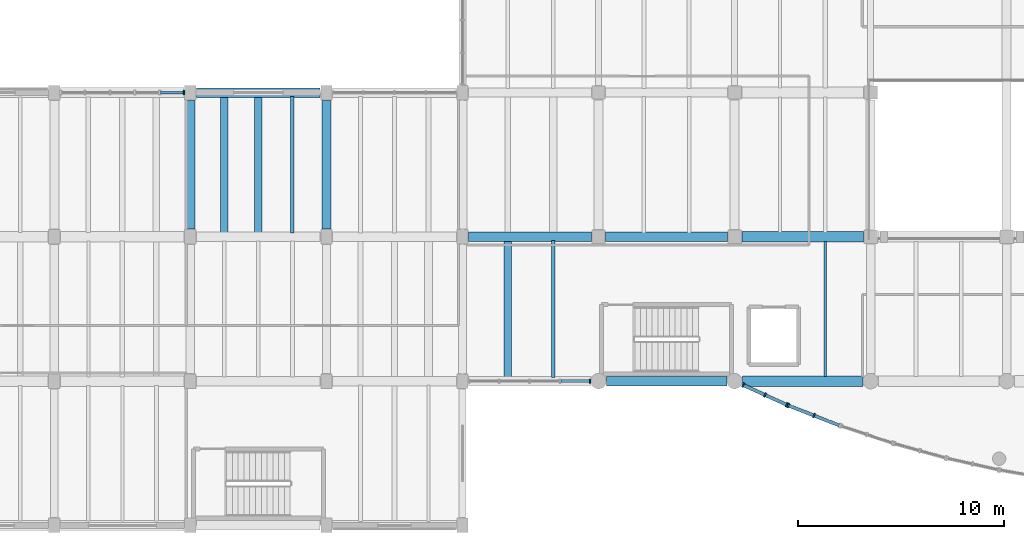
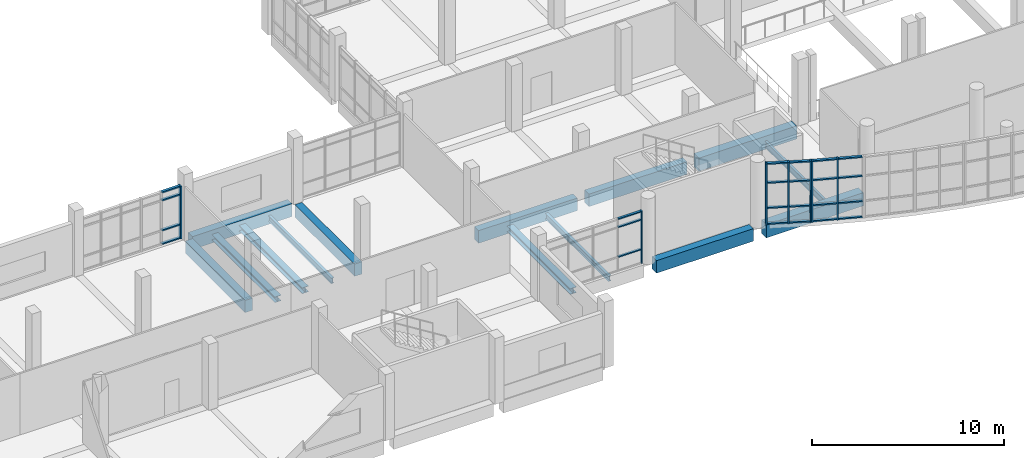
# One storey, part 6 of 68: 30 members, 14 beams, 4 elements without a shape of their own.
"""IFC4 building model written with IfcOpenShell, lengths in metres."""

from ifc_helpers import new_model, si_unit, direction, frame, origin, origin_2d, place, context, subcontext, project, spatial, rectangle, i_section, extrude, material, material_profile, profile_set, type_object, element, aggregate, save


model = new_model("IFC4")

# Units and contexts
model_context = context("Model", 3, precision=1e-05, world=origin(), true_north=direction((0.0, 1.0)))
body_context = subcontext(model_context, "Body", "Model", "MODEL_VIEW")
ifc_project = project(units=[si_unit("LENGTHUNIT", "METRE"), si_unit("AREAUNIT", "SQUARE_METRE"), si_unit("VOLUMEUNIT", "CUBIC_METRE"), si_unit("PLANEANGLEUNIT", "RADIAN"), si_unit("MASSUNIT", "GRAM", prefix="KILO")], contexts=[model_context])

# Site, building, storey
site_placement = place(None, origin())
site = spatial("IfcSite", under=ifc_project, at=site_placement, CompositionType="ELEMENT")
building_placement = place(site_placement, origin())
building = spatial("IfcBuilding", under=site, at=building_placement, Name="Ciguamira Faculty of Natural Sciences", CompositionType="ELEMENT")
storey_placement = place(building_placement, frame((0.0, 0.0, 4.199951171875)))
storey = spatial("IfcBuildingStorey", under=building, at=storey_placement, Name="L01", CompositionType="ELEMENT", Elevation=4.199951171875)

# Curtain wall, member
ifc_material_1 = material(Name="Anodized aluminium curtain wall", Category="aluminium")
curtain_wall_type_1 = type_object("IfcCurtainWallType", Name="CurtainWall_CW-02", PredefinedType="USERDEFINED", material=ifc_material_1)
curtain_wall_1_placement = place(storey_placement, origin())
curtain_wall_1 = element("IfcCurtainWall", 1, at=curtain_wall_1_placement, inside=storey, type_object=curtain_wall_type_1, Name="L01 unitised curtain wall 0026", ObjectType="UNITISED CURTAIN WALL", PredefinedType="USERDEFINED")
ifc_material_2 = material(Name="Anodized aluminium mullion", Category="aluminium")
ifc_material_profile_1 = material_profile(ifc_material_2, rectangle(XDim=0.070068359375, YDim=0.179931640625, at=origin_2d()), Name="ALU-MUL-70X180")
ifc_profile_set_1 = profile_set([ifc_material_profile_1], Name="Anodized aluminium mullion")
member_type_1 = type_object("IfcMemberType", Name="CWMullion_CWM-02", PredefinedType="MULLION", material=ifc_profile_set_1)
member_1_placement = place(storey_placement, frame((56.889892578125, 10.0, 0.0), z_axis=(0.0, 0.0, 1.0), x_axis=(1.0, 0.0, 0.0)))
member_1 = element("IfcMember", 2, at=member_1_placement, type_object=member_type_1, Name="CW-02 mullion 5", PredefinedType="MULLION", context=body_context, shape_type="SweptSolid", body=[
    extrude(rectangle(XDim=0.070068359375, YDim=0.179931640625, at=origin_2d()), origin(), (0.0, 0.0, 1.0), 3.344970703125),
])

curtain_wall_type_2 = type_object("IfcCurtainWallType", Name="CurtainWall_CW-06", PredefinedType="USERDEFINED", material=ifc_material_1)
curtain_wall_2_placement = place(storey_placement, origin())
curtain_wall_2 = element("IfcCurtainWall", 3, at=curtain_wall_2_placement, inside=storey, type_object=curtain_wall_type_2, Name="L01 unitised curtain wall 0030", ObjectType="UNITISED CURTAIN WALL", PredefinedType="USERDEFINED")
ifc_material_profile_2 = material_profile(ifc_material_2, rectangle(XDim=0.080078125, YDim=0.219970703125, at=origin_2d()), Name="ALU-MUL-80X220")
ifc_profile_set_2 = profile_set([ifc_material_profile_2], Name="Anodized aluminium mullion")
member_type_2 = type_object("IfcMemberType", Name="CWMullion_CWM-03", PredefinedType="MULLION", material=ifc_profile_set_2)
member_2_placement = place(storey_placement, frame((37.18505859375, 24.0, 0.0), z_axis=(0.0, 0.0, 1.0), x_axis=(1.0, 0.0, 0.0)))
member_2 = element("IfcMember", 4, at=member_2_placement, type_object=member_type_2, Name="CW-06 mullion 6", PredefinedType="MULLION", context=body_context, shape_type="SweptSolid", body=[
    extrude(rectangle(XDim=0.080078125, YDim=0.219970703125, at=origin_2d()), origin(), (0.0, 0.0, 1.0), 3.364990234375),
])

# Curtain wall, members
curtain_wall_type_3 = type_object("IfcCurtainWallType", Name="CurtainWall_CW-12", PredefinedType="USERDEFINED", material=ifc_material_1)
curtain_wall_3_placement = place(storey_placement, origin())
curtain_wall_3 = element("IfcCurtainWall", 5, at=curtain_wall_3_placement, inside=storey, type_object=curtain_wall_type_3, Name="L01 south gallery curved curtain wall 01", ObjectType="UNITISED CURTAIN WALL", PredefinedType="USERDEFINED")
member_3_placement = place(storey_placement, frame((64.31884765625, 9.809814453125, 0.0), z_axis=(0.0, 0.0, 1.0), x_axis=(0.910580503774, -0.41333176281, 0.0)))
member_3 = element("IfcMember", 6, at=member_3_placement, type_object=member_type_2, Name="CW-12 mullion 1", PredefinedType="MULLION", context=body_context, shape_type="SweptSolid", body=[
    extrude(rectangle(XDim=0.080078125, YDim=0.219970703125, at=origin_2d()), origin(), (0.0, 0.0, 1.0), 3.900146484375),
])
member_4_placement = place(storey_placement, frame((65.37451171875, 9.33056640625, 0.0), z_axis=(0.0, 0.0, 1.0), x_axis=(0.910580503774, -0.41333176281, 0.0)))
member_4 = element("IfcMember", 7, at=member_4_placement, type_object=member_type_2, Name="CW-12 mullion 2", PredefinedType="MULLION", context=body_context, shape_type="SweptSolid", body=[
    extrude(rectangle(XDim=0.080078125, YDim=0.219970703125, at=origin_2d()), origin(), (0.0, 0.0, 1.0), 3.900146484375),
])
member_5_placement = place(storey_placement, frame((66.43017578125, 8.851318359375, 0.0), z_axis=(0.0, 0.0, 1.0), x_axis=(0.910580503774, -0.41333176281, 0.0)))
member_5 = element("IfcMember", 8, at=member_5_placement, type_object=member_type_2, Name="CW-12 mullion 3", PredefinedType="MULLION", context=body_context, shape_type="SweptSolid", body=[
    extrude(rectangle(XDim=0.080078125, YDim=0.219970703125, at=origin_2d()), origin(), (0.0, 0.0, 1.0), 3.900146484375),
])

curtain_wall_type_4 = type_object("IfcCurtainWallType", Name="CurtainWall_CW-01", PredefinedType="USERDEFINED", material=ifc_material_1)
curtain_wall_4_placement = place(storey_placement, origin())
curtain_wall_4 = element("IfcCurtainWall", 9, at=curtain_wall_4_placement, inside=storey, type_object=curtain_wall_type_4, Name="L01 south gallery curved curtain wall 02", ObjectType="UNITISED CURTAIN WALL", PredefinedType="USERDEFINED")
member_6_placement = place(storey_placement, frame((66.50390625, 8.8203125, 0.0), z_axis=(0.0, 0.0, 1.0), x_axis=(0.931122296337, -0.36470710065, 0.0)))
member_6 = element("IfcMember", 10, at=member_6_placement, type_object=member_type_2, Name="CW-01 mullion 1", PredefinedType="MULLION", context=body_context, shape_type="SweptSolid", body=[
    extrude(rectangle(XDim=0.080078125, YDim=0.219970703125, at=origin_2d()), origin(), (0.0, 0.0, 1.0), 3.900146484375),
])
member_7_placement = place(storey_placement, frame((67.75, 8.332275390625, 0.0), z_axis=(0.0, 0.0, 1.0), x_axis=(0.931122296337, -0.36470710065, 0.0)))
member_7 = element("IfcMember", 11, at=member_7_placement, type_object=member_type_2, Name="CW-01 mullion 2", PredefinedType="MULLION", context=body_context, shape_type="SweptSolid", body=[
    extrude(rectangle(XDim=0.080078125, YDim=0.219970703125, at=origin_2d()), origin(), (0.0, 0.0, 1.0), 3.900146484375),
])

# Member
ifc_material_3 = material(Name="Anodized aluminium transom", Category="aluminium")
ifc_material_profile_3 = material_profile(ifc_material_3, rectangle(XDim=0.070068359375, YDim=0.139892578125, at=origin_2d()), Name="ALU-TRN-70X140")
ifc_profile_set_3 = profile_set([ifc_material_profile_3], Name="Anodized aluminium transom")
member_type_3 = type_object("IfcMemberType", Name="CWTransom_CWT-02", PredefinedType="USERDEFINED", material=ifc_profile_set_3)
member_8_placement = place(storey_placement, frame((55.472412109375, 10.0, 0.900146484375), z_axis=(1.0, 0.0, 0.0), x_axis=(0.0, 0.0, 1.0)))
member_8 = element("IfcMember", 12, at=member_8_placement, type_object=member_type_3, Name="CW-02 transom 4.2", ObjectType="TRANSOM", PredefinedType="USERDEFINED", context=body_context, shape_type="SweptSolid", body=[
    extrude(rectangle(XDim=0.070068359375, YDim=0.139892578125, at=origin_2d()), origin(), (0.0, 0.0, 1.0), 1.382568359375),
])

member_9_placement = place(storey_placement, frame((55.472412109375, 10.0, 2.795166015625), z_axis=(1.0, 0.0, 0.0), x_axis=(0.0, 0.0, 1.0)))
member_9 = element("IfcMember", 13, at=member_9_placement, type_object=member_type_3, Name="CW-02 transom 4.3", ObjectType="TRANSOM", PredefinedType="USERDEFINED", context=body_context, shape_type="SweptSolid", body=[
    extrude(rectangle(XDim=0.070068359375, YDim=0.139892578125, at=origin_2d()), origin(), (0.0, 0.0, 1.0), 1.382568359375),
])

member_10_placement = place(storey_placement, frame((55.472412109375, 10.0, 3.31005859375), z_axis=(1.0, 0.0, 0.0), x_axis=(0.0, 0.0, 1.0)))
member_10 = element("IfcMember", 14, at=member_10_placement, type_object=member_type_3, Name="CW-02 transom 4.4", ObjectType="TRANSOM", PredefinedType="USERDEFINED", context=body_context, shape_type="SweptSolid", body=[
    extrude(rectangle(XDim=0.070068359375, YDim=0.139892578125, at=origin_2d()), origin(), (0.0, 0.0, 1.0), 1.382568359375),
])

aggregate(curtain_wall_1, [member_1, member_8, member_9, member_10])

ifc_material_profile_4 = material_profile(ifc_material_3, rectangle(XDim=0.080078125, YDim=0.159912109375, at=origin_2d()), Name="ALU-TRN-80X160")
ifc_profile_set_4 = profile_set([ifc_material_profile_4], Name="Anodized aluminium transom")
member_type_4 = type_object("IfcMemberType", Name="CWTransom_CWT-03", PredefinedType="USERDEFINED", material=ifc_profile_set_4)
member_11_placement = place(storey_placement, frame((36.054931640625, 24.0, 0.0400390625), z_axis=(1.0, 0.0, 0.0), x_axis=(0.0, 0.0, 1.0)))
member_11 = element("IfcMember", 15, at=member_11_placement, type_object=member_type_4, Name="CW-06 transom 5.1", ObjectType="TRANSOM", PredefinedType="USERDEFINED", context=body_context, shape_type="SweptSolid", body=[
    extrude(rectangle(XDim=0.080078125, YDim=0.159912109375, at=origin_2d()), origin(), (0.0, 0.0, 1.0), 1.090087890625),
])

member_12_placement = place(storey_placement, frame((36.054931640625, 24.0, 0.900146484375), z_axis=(1.0, 0.0, 0.0), x_axis=(0.0, 0.0, 1.0)))
member_12 = element("IfcMember", 16, at=member_12_placement, type_object=member_type_4, Name="CW-06 transom 5.2", ObjectType="TRANSOM", PredefinedType="USERDEFINED", context=body_context, shape_type="SweptSolid", body=[
    extrude(rectangle(XDim=0.080078125, YDim=0.159912109375, at=origin_2d()), origin(), (0.0, 0.0, 1.0), 1.090087890625),
])

member_13_placement = place(storey_placement, frame((36.054931640625, 24.0, 2.81494140625), z_axis=(1.0, 0.0, 0.0), x_axis=(0.0, 0.0, 1.0)))
member_13 = element("IfcMember", 17, at=member_13_placement, type_object=member_type_4, Name="CW-06 transom 5.3", ObjectType="TRANSOM", PredefinedType="USERDEFINED", context=body_context, shape_type="SweptSolid", body=[
    extrude(rectangle(XDim=0.080078125, YDim=0.159912109375, at=origin_2d()), origin(), (0.0, 0.0, 1.0), 1.090087890625),
])

member_14_placement = place(storey_placement, frame((36.054931640625, 24.0, 3.324951171875), z_axis=(1.0, 0.0, 0.0), x_axis=(0.0, 0.0, 1.0)))
member_14 = element("IfcMember", 18, at=member_14_placement, type_object=member_type_4, Name="CW-06 transom 5.4", ObjectType="TRANSOM", PredefinedType="USERDEFINED", context=body_context, shape_type="SweptSolid", body=[
    extrude(rectangle(XDim=0.080078125, YDim=0.159912109375, at=origin_2d()), origin(), (0.0, 0.0, 1.0), 1.090087890625),
])

aggregate(curtain_wall_2, [member_2, member_11, member_12, member_13, member_14])

member_15_placement = place(storey_placement, frame((64.355224609375, 9.793212890625, 0.0400390625), z_axis=(0.910621924114, -0.413240500585, 0.0), x_axis=(0.0, 0.0, 1.0)))
member_15 = element("IfcMember", 19, at=member_15_placement, type_object=member_type_4, Name="CW-12 transom 1.1", ObjectType="TRANSOM", PredefinedType="USERDEFINED", context=body_context, shape_type="SweptSolid", body=[
    extrude(rectangle(XDim=0.080078125, YDim=0.159912109375, at=origin_2d()), origin(), (0.0, 0.0, 1.0), 1.079345703125),
])

member_16_placement = place(storey_placement, frame((64.355224609375, 9.793212890625, 1.050048828125), z_axis=(0.910621924114, -0.413240500585, 0.0), x_axis=(0.0, 0.0, 1.0)))
member_16 = element("IfcMember", 20, at=member_16_placement, type_object=member_type_4, Name="CW-12 transom 1.2", ObjectType="TRANSOM", PredefinedType="USERDEFINED", context=body_context, shape_type="SweptSolid", body=[
    extrude(rectangle(XDim=0.080078125, YDim=0.159912109375, at=origin_2d()), origin(), (0.0, 0.0, 1.0), 1.079345703125),
])

member_17_placement = place(storey_placement, frame((64.355224609375, 9.793212890625, 2.650146484375), z_axis=(0.910621924114, -0.413240500585, 0.0), x_axis=(0.0, 0.0, 1.0)))
member_17 = element("IfcMember", 21, at=member_17_placement, type_object=member_type_4, Name="CW-12 transom 1.3", ObjectType="TRANSOM", PredefinedType="USERDEFINED", context=body_context, shape_type="SweptSolid", body=[
    extrude(rectangle(XDim=0.080078125, YDim=0.159912109375, at=origin_2d()), origin(), (0.0, 0.0, 1.0), 1.079345703125),
])

member_18_placement = place(storey_placement, frame((64.355224609375, 9.793212890625, 3.860107421875), z_axis=(0.910621924114, -0.413240500585, 0.0), x_axis=(0.0, 0.0, 1.0)))
member_18 = element("IfcMember", 22, at=member_18_placement, type_object=member_type_4, Name="CW-12 transom 1.4", ObjectType="TRANSOM", PredefinedType="USERDEFINED", context=body_context, shape_type="SweptSolid", body=[
    extrude(rectangle(XDim=0.080078125, YDim=0.159912109375, at=origin_2d()), origin(), (0.0, 0.0, 1.0), 1.079345703125),
])

member_19_placement = place(storey_placement, frame((65.410888671875, 9.314208984375, 0.0400390625), z_axis=(0.910536797913, -0.413428034422, 0.0), x_axis=(0.0, 0.0, 1.0)))
member_19 = element("IfcMember", 23, at=member_19_placement, type_object=member_type_4, Name="CW-12 transom 2.1", ObjectType="TRANSOM", PredefinedType="USERDEFINED", context=body_context, shape_type="SweptSolid", body=[
    extrude(rectangle(XDim=0.080078125, YDim=0.159912109375, at=origin_2d()), origin(), (0.0, 0.0, 1.0), 1.07958984375),
])

member_20_placement = place(storey_placement, frame((65.410888671875, 9.314208984375, 1.050048828125), z_axis=(0.910536797913, -0.413428034422, 0.0), x_axis=(0.0, 0.0, 1.0)))
member_20 = element("IfcMember", 24, at=member_20_placement, type_object=member_type_4, Name="CW-12 transom 2.2", ObjectType="TRANSOM", PredefinedType="USERDEFINED", context=body_context, shape_type="SweptSolid", body=[
    extrude(rectangle(XDim=0.080078125, YDim=0.159912109375, at=origin_2d()), origin(), (0.0, 0.0, 1.0), 1.07958984375),
])

member_21_placement = place(storey_placement, frame((65.410888671875, 9.314208984375, 2.650146484375), z_axis=(0.910536797913, -0.413428034422, 0.0), x_axis=(0.0, 0.0, 1.0)))
member_21 = element("IfcMember", 25, at=member_21_placement, type_object=member_type_4, Name="CW-12 transom 2.3", ObjectType="TRANSOM", PredefinedType="USERDEFINED", context=body_context, shape_type="SweptSolid", body=[
    extrude(rectangle(XDim=0.080078125, YDim=0.159912109375, at=origin_2d()), origin(), (0.0, 0.0, 1.0), 1.07958984375),
])

member_22_placement = place(storey_placement, frame((65.410888671875, 9.314208984375, 3.860107421875), z_axis=(0.910536797913, -0.413428034422, 0.0), x_axis=(0.0, 0.0, 1.0)))
member_22 = element("IfcMember", 26, at=member_22_placement, type_object=member_type_4, Name="CW-12 transom 2.4", ObjectType="TRANSOM", PredefinedType="USERDEFINED", context=body_context, shape_type="SweptSolid", body=[
    extrude(rectangle(XDim=0.080078125, YDim=0.159912109375, at=origin_2d()), origin(), (0.0, 0.0, 1.0), 1.07958984375),
])

aggregate(curtain_wall_3, [member_3, member_4, member_5, member_15, member_16, member_17, member_18, member_19, member_20, member_21, member_22])

member_23_placement = place(storey_placement, frame((66.541259765625, 8.8056640625, 0.0400390625), z_axis=(0.931142528587, -0.364655442104, 0.0), x_axis=(0.0, 0.0, 1.0)))
member_23 = element("IfcMember", 27, at=member_23_placement, type_object=member_type_4, Name="CW-01 transom 1.1", ObjectType="TRANSOM", PredefinedType="USERDEFINED", context=body_context, shape_type="SweptSolid", body=[
    extrude(rectangle(XDim=0.080078125, YDim=0.159912109375, at=origin_2d()), origin(), (0.0, 0.0, 1.0), 1.258056640625),
])

member_24_placement = place(storey_placement, frame((66.541259765625, 8.8056640625, 1.050048828125), z_axis=(0.931142528587, -0.364655442104, 0.0), x_axis=(0.0, 0.0, 1.0)))
member_24 = element("IfcMember", 28, at=member_24_placement, type_object=member_type_4, Name="CW-01 transom 1.2", ObjectType="TRANSOM", PredefinedType="USERDEFINED", context=body_context, shape_type="SweptSolid", body=[
    extrude(rectangle(XDim=0.080078125, YDim=0.159912109375, at=origin_2d()), origin(), (0.0, 0.0, 1.0), 1.258056640625),
])

member_25_placement = place(storey_placement, frame((66.541259765625, 8.8056640625, 2.650146484375), z_axis=(0.931142528587, -0.364655442104, 0.0), x_axis=(0.0, 0.0, 1.0)))
member_25 = element("IfcMember", 29, at=member_25_placement, type_object=member_type_4, Name="CW-01 transom 1.3", ObjectType="TRANSOM", PredefinedType="USERDEFINED", context=body_context, shape_type="SweptSolid", body=[
    extrude(rectangle(XDim=0.080078125, YDim=0.159912109375, at=origin_2d()), origin(), (0.0, 0.0, 1.0), 1.258056640625),
])

member_26_placement = place(storey_placement, frame((66.541259765625, 8.8056640625, 3.860107421875), z_axis=(0.931142528587, -0.364655442104, 0.0), x_axis=(0.0, 0.0, 1.0)))
member_26 = element("IfcMember", 30, at=member_26_placement, type_object=member_type_4, Name="CW-01 transom 1.4", ObjectType="TRANSOM", PredefinedType="USERDEFINED", context=body_context, shape_type="SweptSolid", body=[
    extrude(rectangle(XDim=0.080078125, YDim=0.159912109375, at=origin_2d()), origin(), (0.0, 0.0, 1.0), 1.258056640625),
])

member_27_placement = place(storey_placement, frame((67.787353515625, 8.317626953125, 0.0400390625), z_axis=(0.931142528587, -0.364655442104, 0.0), x_axis=(0.0, 0.0, 1.0)))
member_27 = element("IfcMember", 31, at=member_27_placement, type_object=member_type_4, Name="CW-01 transom 2.1", ObjectType="TRANSOM", PredefinedType="USERDEFINED", context=body_context, shape_type="SweptSolid", body=[
    extrude(rectangle(XDim=0.080078125, YDim=0.159912109375, at=origin_2d()), origin(), (0.0, 0.0, 1.0), 1.258056640625),
])

member_28_placement = place(storey_placement, frame((67.787353515625, 8.317626953125, 1.050048828125), z_axis=(0.931142528587, -0.364655442104, 0.0), x_axis=(0.0, 0.0, 1.0)))
member_28 = element("IfcMember", 32, at=member_28_placement, type_object=member_type_4, Name="CW-01 transom 2.2", ObjectType="TRANSOM", PredefinedType="USERDEFINED", context=body_context, shape_type="SweptSolid", body=[
    extrude(rectangle(XDim=0.080078125, YDim=0.159912109375, at=origin_2d()), origin(), (0.0, 0.0, 1.0), 1.258056640625),
])

member_29_placement = place(storey_placement, frame((67.787353515625, 8.317626953125, 2.650146484375), z_axis=(0.931142528587, -0.364655442104, 0.0), x_axis=(0.0, 0.0, 1.0)))
member_29 = element("IfcMember", 33, at=member_29_placement, type_object=member_type_4, Name="CW-01 transom 2.3", ObjectType="TRANSOM", PredefinedType="USERDEFINED", context=body_context, shape_type="SweptSolid", body=[
    extrude(rectangle(XDim=0.080078125, YDim=0.159912109375, at=origin_2d()), origin(), (0.0, 0.0, 1.0), 1.258056640625),
])

member_30_placement = place(storey_placement, frame((67.787353515625, 8.317626953125, 3.860107421875), z_axis=(0.931142528587, -0.364655442104, 0.0), x_axis=(0.0, 0.0, 1.0)))
member_30 = element("IfcMember", 34, at=member_30_placement, type_object=member_type_4, Name="CW-01 transom 2.4", ObjectType="TRANSOM", PredefinedType="USERDEFINED", context=body_context, shape_type="SweptSolid", body=[
    extrude(rectangle(XDim=0.080078125, YDim=0.159912109375, at=origin_2d()), origin(), (0.0, 0.0, 1.0), 1.258056640625),
])

aggregate(curtain_wall_4, [member_6, member_7, member_23, member_24, member_25, member_26, member_27, member_28, member_29, member_30])

# Beams
ifc_material_4 = material(Name="Concrete C40/50", Category="concrete")
ifc_material_profile_5 = material_profile(ifc_material_4, rectangle(XDim=0.4599609375, YDim=0.820068359375, at=origin_2d()), Name="RC-BM-460X820")
ifc_profile_set_5 = profile_set([ifc_material_profile_5], Name="Concrete C40/50")
beam_type_1 = type_object("IfcBeamType", Name="RCBeam_BG-04_RC-BM-460X820", PredefinedType="BEAM", material=ifc_profile_set_5)
beam_1_placement = place(storey_placement, frame((37.800048828125, 24.0, -0.409912109375), z_axis=(1.0, 0.0, 0.0), x_axis=(0.0, 1.0, 0.0)))
element("IfcBeam", 35, at=beam_1_placement, inside=storey, type_object=beam_type_1, Name="L01 RC girder EW-0420", PredefinedType="BEAM", context=body_context, shape_type="SweptSolid", body=[
    extrude(rectangle(XDim=0.4599609375, YDim=0.820068359375, at=origin_2d()), origin(), (0.0, 0.0, 1.0), 6.0),
])
ifc_material_profile_6 = material_profile(ifc_material_4, rectangle(XDim=0.449951171875, YDim=0.800048828125, at=origin_2d()), Name="RC-BM-450X800")
ifc_profile_set_6 = profile_set([ifc_material_profile_6], Name="Concrete C40/50")
beam_type_2 = type_object("IfcBeamType", Name="RCBeam_BG-05_RC-BM-450X800", PredefinedType="BEAM", material=ifc_profile_set_6)
beam_2_placement = place(storey_placement, frame((57.675048828125, 10.0, -0.39990234375), z_axis=(1.0, 0.0, 0.0), x_axis=(0.0, 1.0, 0.0)))
element("IfcBeam", 36, at=beam_2_placement, inside=storey, type_object=beam_type_2, Name="L01 RC girder EW-0380", PredefinedType="BEAM", context=body_context, shape_type="SweptSolid", body=[
    extrude(rectangle(XDim=0.449951171875, YDim=0.800048828125, at=origin_2d()), origin(), (0.0, 0.0, 1.0), 5.849853515625),
])
beam_3_placement = place(storey_placement, frame((51.0, 17.0, -0.39990234375), z_axis=(1.0, 0.0, 0.0), x_axis=(0.0, 1.0, 0.0)))
element("IfcBeam", 37, at=beam_3_placement, inside=storey, type_object=beam_type_2, Name="L01 RC girder EW-0397", PredefinedType="BEAM", context=body_context, shape_type="SweptSolid", body=[
    extrude(rectangle(XDim=0.449951171875, YDim=0.800048828125, at=origin_2d()), origin(), (0.0, 0.0, 1.0), 5.949951171875),
])
beam_4_placement = place(storey_placement, frame((57.64990234375, 17.0, -0.39990234375), z_axis=(1.0, 0.0, 0.0), x_axis=(0.0, 1.0, 0.0)))
element("IfcBeam", 38, at=beam_4_placement, inside=storey, type_object=beam_type_2, Name="L01 RC girder EW-0398", PredefinedType="BEAM", context=body_context, shape_type="SweptSolid", body=[
    extrude(rectangle(XDim=0.449951171875, YDim=0.800048828125, at=origin_2d()), origin(), (0.0, 0.0, 1.0), 5.900146484375),
])
ifc_material_profile_7 = material_profile(ifc_material_4, rectangle(XDim=0.43994140625, YDim=0.780029296875, at=origin_2d()), Name="RC-BM-440X780")
ifc_profile_set_7 = profile_set([ifc_material_profile_7], Name="Concrete C40/50")
beam_type_3 = type_object("IfcBeamType", Name="RCBeam_BG-06_RC-BM-440X780", PredefinedType="BEAM", material=ifc_profile_set_7)
for number, where, z_axis, x_axis, name in (
    (39, (37.5, 17.375, -0.389892578125), (0.0, 1.0, 0.0), (-1.0, 0.0, 0.0), "L01 girder NS-0563"),
    (40, (44.10009765625, 17.375, -0.389892578125), (0.0, 1.0, 0.0), (-1.0, 0.0, 0.0), "L01 girder NS-0565"),
):
    element("IfcBeam", number, at=place(storey_placement, frame(where, z_axis=z_axis, x_axis=x_axis)), inside=storey, type_object=beam_type_3, Name=name, PredefinedType="BEAM", context=body_context, shape_type="SweptSolid", body=[
        extrude(rectangle(XDim=0.43994140625, YDim=0.780029296875, at=origin_2d()), origin(), (0.0, 0.0, 1.0), 6.25),
    ])
ifc_material_profile_8 = material_profile(ifc_material_4, rectangle(XDim=0.52001953125, YDim=0.840087890625, at=origin_2d()), Name="RC-TB-520X840")
ifc_profile_set_8 = profile_set([ifc_material_profile_8], Name="Concrete C40/50")
beam_type_4 = type_object("IfcBeamType", Name="RCBeam_TB-02_RC-TB-520X840", PredefinedType="T_BEAM", material=ifc_profile_set_8)
beam_5_placement = place(storey_placement, frame((64.27490234375, 10.0, -0.419921875), z_axis=(1.0, 0.0, 0.0), x_axis=(0.0, 1.0, 0.0)))
element("IfcBeam", 41, at=beam_5_placement, inside=storey, type_object=beam_type_4, Name="L01 RC girder EW-0381", PredefinedType="T_BEAM", context=body_context, shape_type="SweptSolid", body=[
    extrude(rectangle(XDim=0.52001953125, YDim=0.840087890625, at=origin_2d()), origin(), (0.0, 0.0, 1.0), 5.85009765625),
])
beam_6_placement = place(storey_placement, frame((64.25, 17.0, -0.419921875), z_axis=(1.0, 0.0, 0.0), x_axis=(0.0, 1.0, 0.0)))
element("IfcBeam", 42, at=beam_6_placement, inside=storey, type_object=beam_type_4, Name="L01 RC girder EW-0399", PredefinedType="T_BEAM", context=body_context, shape_type="SweptSolid", body=[
    extrude(rectangle(XDim=0.52001953125, YDim=0.840087890625, at=origin_2d()), origin(), (0.0, 0.0, 1.0), 5.89990234375),
])
ifc_material_5 = material(Name="Steel ASTM A992 Grade 50", Category="steel")
ifc_material_profile_9 = material_profile(ifc_material_5, i_section(OverallWidth=0.370849609375, OverallDepth=0.36328125, WebThickness=0.013427734375, FlangeThickness=0.021728515625, at=origin_2d()), Name="W14X109")
ifc_profile_set_9 = profile_set([ifc_material_profile_9], Name="Steel ASTM A992 Grade 50")
beam_type_5 = type_object("IfcBeamType", Name="SteelJoist_SJ-09_W14X109", PredefinedType="JOIST", material=ifc_profile_set_9)
beam_7_placement = place(storey_placement, frame((39.14990234375, 17.18994140625, -0.441650390625), z_axis=(0.0, 1.0, 0.0), x_axis=(-1.0, 0.0, 0.0)))
element("IfcBeam", 43, at=beam_7_placement, inside=storey, type_object=beam_type_5, Name="L01 composite steel joist 00367", PredefinedType="JOIST", context=body_context, shape_type="SweptSolid", body=[
    extrude(i_section(OverallWidth=0.370849609375, OverallDepth=0.36328125, WebThickness=0.013427734375, FlangeThickness=0.021728515625, at=origin_2d()), origin(), (0.0, 0.0, 1.0), 6.6201171875),
])
ifc_material_profile_10 = material_profile(ifc_material_5, i_section(OverallWidth=0.373291015625, OverallDepth=0.373291015625, WebThickness=0.016357421875, FlangeThickness=0.026123046875, at=origin_2d()), Name="W14X132")
ifc_profile_set_10 = profile_set([ifc_material_profile_10], Name="Steel ASTM A992 Grade 50")
beam_type_6 = type_object("IfcBeamType", Name="SteelJoist_SJ-10_W14X132", PredefinedType="JOIST", material=ifc_profile_set_10)
beam_8_placement = place(storey_placement, frame((40.800048828125, 17.18994140625, -0.446533203125), z_axis=(0.0, 1.0, 0.0), x_axis=(-1.0, 0.0, 0.0)))
element("IfcBeam", 44, at=beam_8_placement, inside=storey, type_object=beam_type_6, Name="L01 composite steel joist 00368", PredefinedType="JOIST", context=body_context, shape_type="SweptSolid", body=[
    extrude(i_section(OverallWidth=0.373291015625, OverallDepth=0.373291015625, WebThickness=0.016357421875, FlangeThickness=0.026123046875, at=origin_2d()), origin(), (0.0, 0.0, 1.0), 6.6201171875),
])
beam_9_placement = place(storey_placement, frame((52.89990234375, 10.18505859375, -0.486572265625), z_axis=(0.0, 1.0, 0.0), x_axis=(-1.0, 0.0, 0.0)))
element("IfcBeam", 45, at=beam_9_placement, inside=storey, type_object=beam_type_6, Name="L01 composite steel joist 00379", PredefinedType="JOIST", context=body_context, shape_type="SweptSolid", body=[
    extrude(i_section(OverallWidth=0.373291015625, OverallDepth=0.373291015625, WebThickness=0.016357421875, FlangeThickness=0.026123046875, at=origin_2d()), origin(), (0.0, 0.0, 1.0), 6.6298828125),
])
ifc_material_profile_11 = material_profile(ifc_material_5, i_section(OverallWidth=0.1708984375, OverallDepth=0.3505859375, WebThickness=0.0068359375, FlangeThickness=0.009765625, at=origin_2d()), Name="W14X30")
ifc_profile_set_11 = profile_set([ifc_material_profile_11], Name="Steel ASTM A992 Grade 50")
beam_type_7 = type_object("IfcBeamType", Name="SteelJoist_SJ-11_W14X30", PredefinedType="JOIST", material=ifc_profile_set_11)
beam_10_placement = place(storey_placement, frame((42.449951171875, 17.18994140625, -0.435302734375), z_axis=(0.0, 1.0, 0.0), x_axis=(-1.0, 0.0, 0.0)))
element("IfcBeam", 46, at=beam_10_placement, inside=storey, type_object=beam_type_7, Name="L01 composite steel joist 00369", PredefinedType="JOIST", context=body_context, shape_type="SweptSolid", body=[
    extrude(i_section(OverallWidth=0.1708984375, OverallDepth=0.3505859375, WebThickness=0.0068359375, FlangeThickness=0.009765625, at=origin_2d()), origin(), (0.0, 0.0, 1.0), 6.6201171875),
])
beam_11_placement = place(storey_placement, frame((55.10009765625, 10.18505859375, -0.475341796875), z_axis=(0.0, 1.0, 0.0), x_axis=(-1.0, 0.0, 0.0)))
element("IfcBeam", 47, at=beam_11_placement, inside=storey, type_object=beam_type_7, Name="L01 composite steel joist 00380", PredefinedType="JOIST", context=body_context, shape_type="SweptSolid", body=[
    extrude(i_section(OverallWidth=0.1708984375, OverallDepth=0.3505859375, WebThickness=0.0068359375, FlangeThickness=0.009765625, at=origin_2d()), origin(), (0.0, 0.0, 1.0), 6.6298828125),
])
ifc_material_profile_12 = material_profile(ifc_material_5, i_section(OverallWidth=0.140380859375, OverallDepth=0.40380859375, WebThickness=0.007080078125, FlangeThickness=0.01123046875, at=origin_2d()), Name="W16X31")
ifc_profile_set_12 = profile_set([ifc_material_profile_12], Name="Steel ASTM A992 Grade 50")
beam_type_8 = type_object("IfcBeamType", Name="SteelJoist_SJ-17_W16X31", PredefinedType="JOIST", material=ifc_profile_set_12)
beam_12_placement = place(storey_placement, frame((68.300048828125, 10.219970703125, -0.501953125), z_axis=(0.0, 1.0, 0.0), x_axis=(-1.0, 0.0, 0.0)))
element("IfcBeam", 48, at=beam_12_placement, inside=storey, type_object=beam_type_8, Name="L01 composite steel joist 00414", PredefinedType="JOIST", context=body_context, shape_type="SweptSolid", body=[
    extrude(i_section(OverallWidth=0.140380859375, OverallDepth=0.40380859375, WebThickness=0.007080078125, FlangeThickness=0.01123046875, at=origin_2d()), origin(), (0.0, 0.0, 1.0), 6.56005859375),
])

save(model, "model.ifc")
